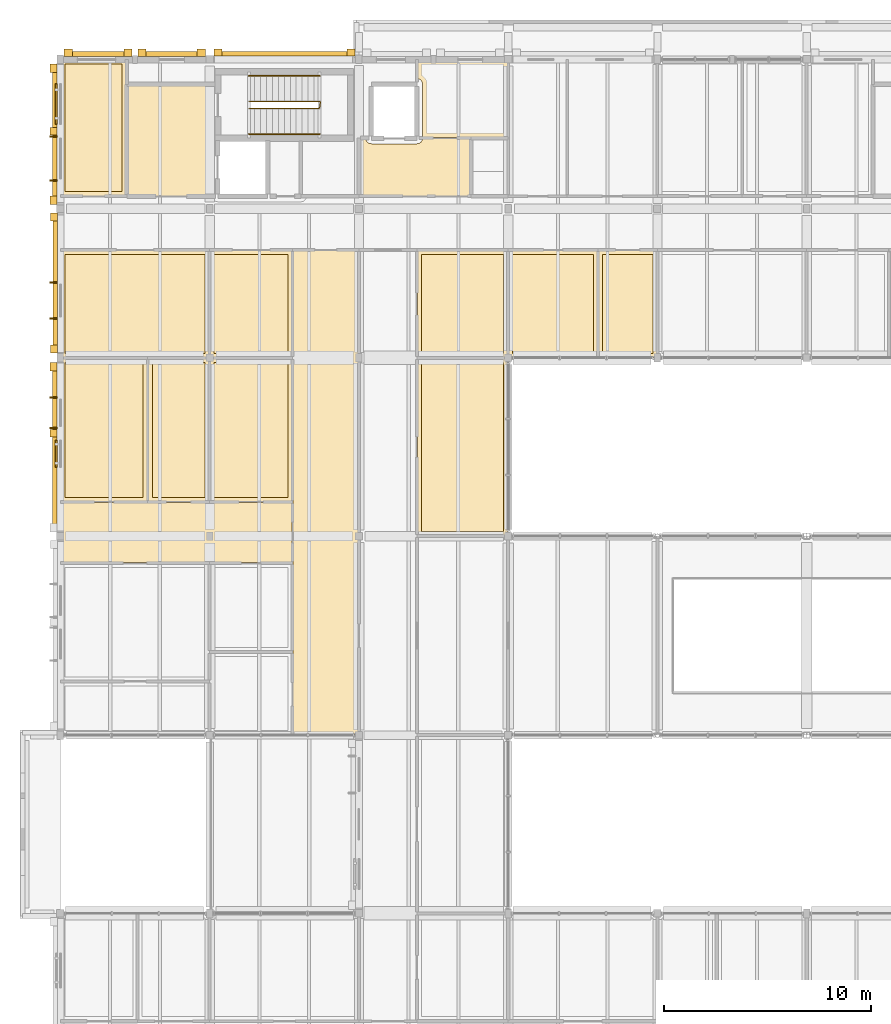
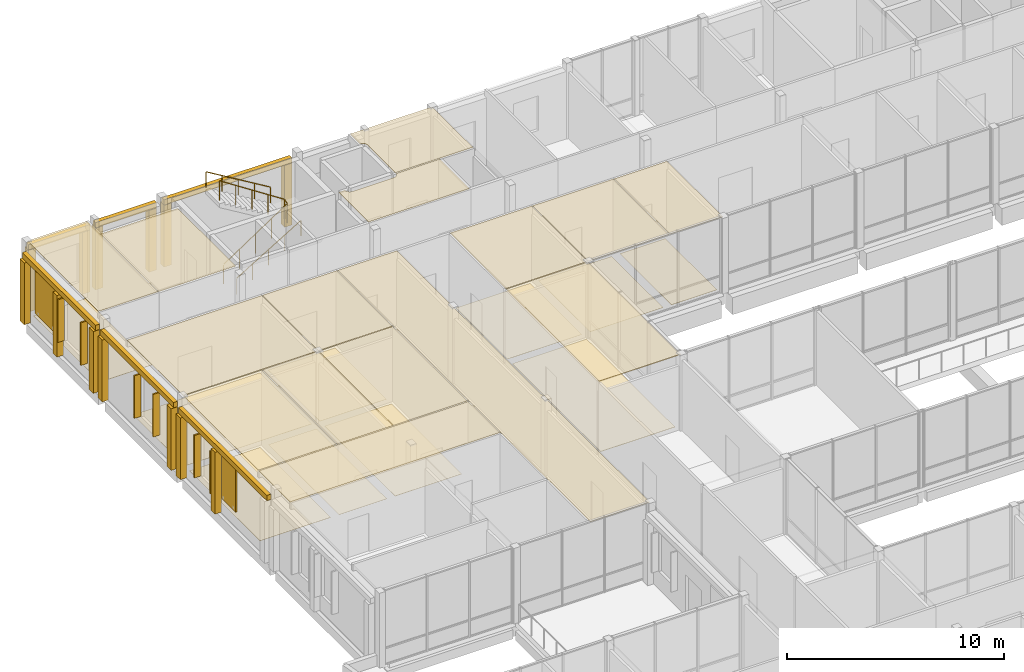
# One storey, part 135 of 146: 44 coverings, 8 shading devices, 3 railings.
"""IFC4 building model written with IfcOpenShell, lengths in metres."""

from ifc_helpers import new_model, si_unit, direction, frame, origin, origin_2d, place, context, subcontext, project, spatial, polyline, rectangle, circle, outline, extrude, material, layer, layer_set, type_object, element, save


model = new_model("IFC4")

# Units and contexts
model_context = context("Model", 3, precision=1e-05, world=origin(), true_north=direction((0.0, 1.0)))
body_context = subcontext(model_context, "Body", "Model", "MODEL_VIEW")
ifc_project = project(units=[si_unit("LENGTHUNIT", "METRE"), si_unit("AREAUNIT", "SQUARE_METRE"), si_unit("VOLUMEUNIT", "CUBIC_METRE"), si_unit("PLANEANGLEUNIT", "RADIAN"), si_unit("MASSUNIT", "GRAM", prefix="KILO")], contexts=[model_context])

# Site, building, storey
site_placement = place(None, origin())
site = spatial("IfcSite", under=ifc_project, at=site_placement, CompositionType="ELEMENT")
building_placement = place(site_placement, origin())
building = spatial("IfcBuilding", under=site, at=building_placement, Name="Hawrajan Terrace Health Centre", CompositionType="ELEMENT")
storey_placement = place(building_placement, frame((0.0, 0.0, 4.5)))
storey = spatial("IfcBuildingStorey", under=building, at=storey_placement, Name="L01", CompositionType="ELEMENT", Elevation=4.5)

# Coverings
ifc_material_1 = material(Name="Precast concrete C40/50", Category="concrete")
ifc_layer_1 = layer(ifc_material_1, 0.219970703125)
ifc_layer_set_1 = layer_set([ifc_layer_1], Name="Precast concrete C40/50")
covering_type_1 = type_object("IfcCoveringType", Name="ArtDecoCorniceBand", PredefinedType="CLADDING", material=ifc_layer_set_1)
covering_1_placement = place(storey_placement, frame((4.330078125, 41.0849609375, 3.48974609375), z_axis=(0.0, 0.0, 1.0), x_axis=(0.0, 1.0, 0.0)))
element("IfcCovering", 1, at=covering_1_placement, inside=storey, type_object=covering_type_1, Name="Art Deco limestone cornice band CRN-L01-0052", PredefinedType="CLADDING", context=body_context, shape_type="SweptSolid", body=[
    extrude(rectangle(XDim=8.169921875, YDim=0.219970703125, at=origin_2d()), origin(), (0.0, 0.0, 1.0), 0.300048828125),
])
covering_2_placement = place(storey_placement, frame((4.340087890625, 49.014892578125, 3.48974609375), z_axis=(0.0, 0.0, 1.0), x_axis=(0.0, 1.0, 0.0)))
element("IfcCovering", 2, at=covering_2_placement, inside=storey, type_object=covering_type_1, Name="Art Deco limestone cornice band CRN-L01-0053", PredefinedType="CLADDING", context=body_context, shape_type="SweptSolid", body=[
    extrude(rectangle(XDim=6.77001953125, YDim=0.219970703125, at=origin_2d()), origin(), (0.0, 0.0, 1.0), 0.300048828125),
])
covering_3_placement = place(storey_placement, frame((6.419921875, 60.06005859375, 3.48974609375), z_axis=(0.0, 0.0, 1.0), x_axis=(1.0, 0.0, 0.0)))
element("IfcCovering", 3, at=covering_3_placement, inside=storey, type_object=covering_type_1, Name="Art Deco limestone cornice band CRN-L01-0054", PredefinedType="CLADDING", context=body_context, shape_type="SweptSolid", body=[
    extrude(rectangle(XDim=3.280029296875, YDim=0.219970703125, at=origin_2d()), origin(), (0.0, 0.0, 1.0), 0.300048828125),
])
covering_4_placement = place(storey_placement, frame((9.969970703125, 60.06005859375, 3.48974609375), z_axis=(0.0, 0.0, 1.0), x_axis=(1.0, 0.0, 0.0)))
element("IfcCovering", 4, at=covering_4_placement, inside=storey, type_object=covering_type_1, Name="Art Deco limestone cornice band CRN-L01-0055", PredefinedType="CLADDING", context=body_context, shape_type="SweptSolid", body=[
    extrude(rectangle(XDim=3.260009765625, YDim=0.219970703125, at=origin_2d()), origin(), (0.0, 0.0, 1.0), 0.300048828125),
])
covering_5_placement = place(storey_placement, frame((4.330078125, 56.18505859375, 3.48974609375), z_axis=(0.0, 0.0, 1.0), x_axis=(0.0, 1.0, 0.0)))
element("IfcCovering", 5, at=covering_5_placement, inside=storey, type_object=covering_type_1, Name="Art Deco limestone cornice band CRN-L01-0056", PredefinedType="CLADDING", context=body_context, shape_type="SweptSolid", body=[
    extrude(rectangle(XDim=6.77001953125, YDim=0.219970703125, at=origin_2d()), origin(), (0.0, 0.0, 1.0), 0.300048828125),
])
covering_6_placement = place(storey_placement, frame((15.409912109375, 60.070068359375, 3.48974609375), z_axis=(0.0, 0.0, 1.0), x_axis=(1.0, 0.0, 0.0)))
element("IfcCovering", 6, at=covering_6_placement, inside=storey, type_object=covering_type_1, Name="Art Deco limestone cornice band CRN-L01-0058", PredefinedType="CLADDING", context=body_context, shape_type="SweptSolid", body=[
    extrude(rectangle(XDim=6.820068359375, YDim=0.219970703125, at=origin_2d()), origin(), (0.0, 0.0, 1.0), 0.300048828125),
])
ifc_layer_2 = layer(ifc_material_1, 0.340087890625)
ifc_layer_set_2 = layer_set([ifc_layer_2], Name="Precast concrete C40/50")
covering_type_2 = type_object("IfcCoveringType", Name="ArtDecoStonePilaster", PredefinedType="CLADDING", material=ifc_layer_set_2)
covering_7_placement = place(storey_placement, frame((4.27001953125, 44.969970703125, 0.0), z_axis=(0.0, 0.0, 1.0), x_axis=(0.0, 1.0, 0.0)))
element("IfcCovering", 7, at=covering_7_placement, inside=storey, type_object=covering_type_2, Name="Art Deco fluted limestone pilaster FPIL-L01-0076", PredefinedType="CLADDING", context=body_context, shape_type="SweptSolid", body=[
    extrude(rectangle(XDim=0.39990234375, YDim=0.340087890625, at=origin_2d()), origin(), (0.0, 0.0, 1.0), 3.47998046875),
])
covering_8_placement = place(storey_placement, frame((4.27001953125, 41.760009765625, 0.0), z_axis=(0.0, 0.0, 1.0), x_axis=(0.0, 1.0, 0.0)))
element("IfcCovering", 8, at=covering_8_placement, inside=storey, type_object=covering_type_2, Name="Art Deco mullion pilaster FPIL-L01-0077", PredefinedType="CLADDING", context=body_context, shape_type="SweptSolid", body=[
    extrude(rectangle(XDim=0.360107421875, YDim=0.340087890625, at=origin_2d()), origin(), (0.0, 0.0, 1.0), 3.47998046875),
])
for number, where, z_axis, x_axis, name in (
    (9, (4.280029296875, 45.830078125, 0.0), (0.0, 0.0, 1.0), (0.0, 1.0, 0.0), "Art Deco fluted limestone pilaster FPIL-L01-0078"),
    (10, (4.280029296875, 52.199951171875, 0.0), (0.0, 0.0, 1.0), (0.0, 1.0, 0.0), "Art Deco fluted limestone pilaster FPIL-L01-0079"),
    (11, (4.97998046875, 60.1201171875, 0.0), (0.0, 0.0, 1.0), (1.0, 0.0, 0.0), "Art Deco fluted limestone pilaster FPIL-L01-0080"),
    (12, (7.860107421875, 60.1201171875, 0.0), (0.0, 0.0, 1.0), (1.0, 0.0, 0.0), "Art Deco fluted limestone pilaster FPIL-L01-0081"),
    (13, (8.5400390625, 60.1201171875, 0.0), (0.0, 0.0, 1.0), (1.0, 0.0, 0.0), "Art Deco fluted limestone pilaster FPIL-L01-0082"),
    (14, (11.39990234375, 60.1201171875, 0.0), (0.0, 0.0, 1.0), (1.0, 0.0, 0.0), "Art Deco fluted limestone pilaster FPIL-L01-0083"),
    (15, (4.27001953125, 53.0, 0.0), (0.0, 0.0, 1.0), (0.0, 1.0, 0.0), "Art Deco fluted limestone pilaster FPIL-L01-0084"),
    (16, (4.27001953125, 59.3701171875, 0.0), (0.0, 0.0, 1.0), (0.0, 1.0, 0.0), "Art Deco fluted limestone pilaster FPIL-L01-0085"),
):
    element("IfcCovering", number, at=place(storey_placement, frame(where, z_axis=z_axis, x_axis=x_axis)), inside=storey, type_object=covering_type_2, Name=name, PredefinedType="CLADDING", context=body_context, shape_type="SweptSolid", body=[
        extrude(rectangle(XDim=0.39990234375, YDim=0.340087890625, at=origin_2d()), origin(), (0.0, 0.0, 1.0), 3.47998046875),
    ])
covering_9_placement = place(storey_placement, frame((4.27001953125, 56.3349609375, 0.0), z_axis=(0.0, 0.0, 1.0), x_axis=(0.0, 1.0, 0.0)))
element("IfcCovering", 17, at=covering_9_placement, inside=storey, type_object=covering_type_2, Name="Art Deco mullion pilaster FPIL-L01-0086", PredefinedType="CLADDING", context=body_context, shape_type="SweptSolid", body=[
    extrude(rectangle(XDim=0.360107421875, YDim=0.340087890625, at=origin_2d()), origin(), (0.0, 0.0, 1.0), 3.47998046875),
])
for number, where, z_axis, x_axis, name in (
    (18, (12.199951171875, 60.1298828125, 0.0), (0.0, 0.0, 1.0), (1.0, 0.0, 0.0), "Art Deco fluted limestone pilaster FPIL-L01-0089"),
    (19, (18.6201171875, 60.1298828125, 0.0), (0.0, 0.0, 1.0), (1.0, 0.0, 0.0), "Art Deco fluted limestone pilaster FPIL-L01-0090"),
):
    element("IfcCovering", number, at=place(storey_placement, frame(where, z_axis=z_axis, x_axis=x_axis)), inside=storey, type_object=covering_type_2, Name=name, PredefinedType="CLADDING", context=body_context, shape_type="SweptSolid", body=[
        extrude(rectangle(XDim=0.39990234375, YDim=0.340087890625, at=origin_2d()), origin(), (0.0, 0.0, 1.0), 3.47998046875),
    ])
ifc_material_2 = material(Name="Acoustic linear cedar-slat suspended ceiling")
ifc_layer_3 = layer(ifc_material_2, 0.034912109375)
ifc_layer_set_3 = layer_set([ifc_layer_3], Name="Acoustic linear cedar-slat suspended ceiling")
covering_type_3 = type_object("IfcCoveringType", Name="CedarSlatHallCeiling_35", PredefinedType="CEILING", material=ifc_layer_set_3)
covering_10_placement = place(storey_placement, frame((0.0, 0.0, 4.14501953125)))
element("IfcCovering", 20, at=covering_10_placement, inside=storey, type_object=covering_type_3, Name="Suspended ceiling L01-067", PredefinedType="CEILING", context=body_context, shape_type="SweptSolid", body=[
    extrude(outline(polyline([(21.820068359375, 45.3798828125), (26.179931640625, 45.3798828125), (26.179931640625, 36.820068359375), (21.820068359375, 36.820068359375), (21.820068359375, 45.3798828125)])), origin(), (0.0, 0.0, 1.0), 0.034912109375),
])
ifc_material_3 = material(Name="Hygienic mineral-fibre acoustic tile ceiling")
ifc_layer_4 = layer(ifc_material_3, 0.02490234375)
ifc_layer_set_4 = layer_set([ifc_layer_4], Name="Hygienic mineral-fibre acoustic tile ceiling")
covering_type_4 = type_object("IfcCoveringType", Name="ClinicalAcousticCeiling_25", PredefinedType="CEILING", material=ifc_layer_set_4)
covering_11_placement = place(storey_placement, frame((0.0, 0.0, 4.155029296875)))
element("IfcCovering", 21, at=covering_11_placement, inside=storey, type_object=covering_type_4, Name="Suspended ceiling L01-020", PredefinedType="CEILING", context=body_context, shape_type="SweptSolid", body=[
    extrude(outline(polyline([(7.820068359375, 53.219970703125), (7.820068359375, 58.580078125), (11.929931640625, 58.580078125), (11.929931640625, 53.219970703125), (7.820068359375, 53.219970703125)])), origin(), (0.0, 0.0, 1.0), 0.02490234375),
])
covering_12_placement = place(storey_placement, frame((0.0, 0.0, 4.155029296875)))
element("IfcCovering", 22, at=covering_12_placement, inside=storey, type_object=covering_type_4, Name="Suspended ceiling L01-024", PredefinedType="CEILING", context=body_context, shape_type="SweptSolid", body=[
    extrude(outline(polyline([(24.3798828125, 55.97998046875), (24.3798828125, 53.219970703125), (19.02001953125, 53.219970703125), (19.02001953125, 55.97998046875), (19.3310546875, 55.97998046875), (19.331298828125, 55.974609375), (19.331298828125, 55.97265625), (19.3349609375, 55.9482421875), (19.33544921875, 55.9462890625), (19.34130859375, 55.922607421875), (19.341796875, 55.920654296875), (19.35009765625, 55.897705078125), (19.35107421875, 55.895751953125), (19.361328125, 55.87353515625), (19.3623046875, 55.871826171875), (19.375, 55.850830078125), (19.376220703125, 55.84912109375), (19.390625, 55.82958984375), (19.391845703125, 55.827880859375), (19.408447265625, 55.809814453125), (19.409912109375, 55.808349609375), (19.427978515625, 55.7919921875), (19.429443359375, 55.790771484375), (19.44921875, 55.776123046875), (19.45068359375, 55.77490234375), (19.471923828125, 55.762451171875), (19.4736328125, 55.761474609375), (19.495849609375, 55.7509765625), (19.49755859375, 55.750244140625), (19.520751953125, 55.741943359375), (19.522705078125, 55.741455078125), (19.54638671875, 55.7353515625), (19.54833984375, 55.735107421875), (19.572509765625, 55.7314453125), (19.574462890625, 55.731201171875), (19.59912109375, 55.72998046875), (19.60009765625, 55.72998046875), (21.800048828125, 55.72998046875), (21.801025390625, 55.72998046875), (21.825439453125, 55.731201171875), (21.827392578125, 55.7314453125), (21.851806640625, 55.735107421875), (21.853515625, 55.7353515625), (21.87744140625, 55.741455078125), (21.87939453125, 55.741943359375), (21.90234375, 55.750244140625), (21.904296875, 55.7509765625), (21.926513671875, 55.761474609375), (21.927978515625, 55.762451171875), (21.94921875, 55.77490234375), (21.95068359375, 55.776123046875), (21.970458984375, 55.790771484375), (21.971923828125, 55.7919921875), (21.990234375, 55.808349609375), (21.99169921875, 55.809814453125), (22.008056640625, 55.827880859375), (22.00927734375, 55.82958984375), (22.02392578125, 55.84912109375), (22.02490234375, 55.850830078125), (22.03759765625, 55.871826171875), (22.03857421875, 55.87353515625), (22.049072265625, 55.895751953125), (22.0498046875, 55.897705078125), (22.05810546875, 55.920654296875), (22.05859375, 55.922607421875), (22.064697265625, 55.9462890625), (22.06494140625, 55.9482421875), (22.068603515625, 55.97265625), (22.06884765625, 55.974609375), (22.069091796875, 55.97998046875), (24.3798828125, 55.97998046875)])), origin(), (0.0, 0.0, 1.0), 0.02490234375),
])
covering_13_placement = place(storey_placement, frame((0.0, 0.0, 4.155029296875)))
element("IfcCovering", 23, at=covering_13_placement, inside=storey, type_object=covering_type_4, Name="Suspended ceiling L01-027", PredefinedType="CEILING", context=body_context, shape_type="SweptSolid", body=[
    extrude(outline(polyline([(15.820068359375, 50.580078125), (18.97998046875, 50.580078125), (18.97998046875, 27.219970703125), (15.820068359375, 27.219970703125), (15.820068359375, 50.580078125)])), origin(), (0.0, 0.0, 1.0), 0.02490234375),
])
covering_14_placement = place(storey_placement, frame((0.0, 0.0, 4.155029296875)))
element("IfcCovering", 24, at=covering_14_placement, inside=storey, type_object=covering_type_4, Name="Suspended ceiling L01-028", PredefinedType="CEILING", context=body_context, shape_type="SweptSolid", body=[
    extrude(outline(polyline([(4.6201171875, 38.429931640625), (15.780029296875, 38.429931640625), (15.780029296875, 35.52001953125), (4.6201171875, 35.52001953125), (4.6201171875, 38.429931640625)])), origin(), (0.0, 0.0, 1.0), 0.02490234375),
])
covering_15_placement = place(storey_placement, frame((0.0, 0.0, 4.155029296875)))
element("IfcCovering", 25, at=covering_15_placement, inside=storey, type_object=covering_type_4, Name="Suspended ceiling L01-078", PredefinedType="CEILING", context=body_context, shape_type="SweptSolid", body=[
    extrude(outline(polyline([(4.6201171875, 45.3798828125), (8.7919921875, 45.3798828125), (8.7919921875, 38.469970703125), (4.6201171875, 38.469970703125), (4.6201171875, 45.3798828125)])), origin(), (0.0, 0.0, 1.0), 0.02490234375),
])
covering_16_placement = place(storey_placement, frame((0.0, 0.0, 4.155029296875)))
element("IfcCovering", 26, at=covering_16_placement, inside=storey, type_object=covering_type_4, Name="Suspended ceiling L01-079", PredefinedType="CEILING", context=body_context, shape_type="SweptSolid", body=[
    extrude(outline(polyline([(8.83203125, 45.3798828125), (11.780029296875, 45.3798828125), (11.780029296875, 38.469970703125), (8.83203125, 38.469970703125), (8.83203125, 45.3798828125)])), origin(), (0.0, 0.0, 1.0), 0.02490234375),
])
covering_17_placement = place(storey_placement, frame((0.0, 0.0, 4.155029296875)))
element("IfcCovering", 27, at=covering_17_placement, inside=storey, type_object=covering_type_4, Name="Suspended ceiling L01-080", PredefinedType="CEILING", context=body_context, shape_type="SweptSolid", body=[
    extrude(outline(polyline([(4.6201171875, 50.580078125), (11.780029296875, 50.580078125), (11.780029296875, 45.419921875), (4.6201171875, 45.419921875), (4.6201171875, 50.580078125)])), origin(), (0.0, 0.0, 1.0), 0.02490234375),
])
covering_18_placement = place(storey_placement, frame((0.0, 0.0, 4.155029296875)))
element("IfcCovering", 28, at=covering_18_placement, inside=storey, type_object=covering_type_4, Name="Suspended ceiling L01-081", PredefinedType="CEILING", context=body_context, shape_type="SweptSolid", body=[
    extrude(outline(polyline([(4.6201171875, 59.780029296875), (7.780029296875, 59.780029296875), (7.780029296875, 53.219970703125), (4.6201171875, 53.219970703125), (4.6201171875, 59.780029296875)])), origin(), (0.0, 0.0, 1.0), 0.02490234375),
])
covering_19_placement = place(storey_placement, frame((0.0, 0.0, 4.155029296875)))
element("IfcCovering", 29, at=covering_19_placement, inside=storey, type_object=covering_type_4, Name="Suspended ceiling L01-084", PredefinedType="CEILING", context=body_context, shape_type="SweptSolid", body=[
    extrude(outline(polyline([(11.820068359375, 45.3798828125), (15.780029296875, 45.3798828125), (15.780029296875, 38.469970703125), (11.820068359375, 38.469970703125), (11.820068359375, 45.3798828125)])), origin(), (0.0, 0.0, 1.0), 0.02490234375),
])
covering_20_placement = place(storey_placement, frame((0.0, 0.0, 4.155029296875)))
element("IfcCovering", 30, at=covering_20_placement, inside=storey, type_object=covering_type_4, Name="Suspended ceiling L01-085", PredefinedType="CEILING", context=body_context, shape_type="SweptSolid", body=[
    extrude(outline(polyline([(11.820068359375, 50.580078125), (15.780029296875, 50.580078125), (15.780029296875, 45.419921875), (11.820068359375, 45.419921875), (11.820068359375, 50.580078125)])), origin(), (0.0, 0.0, 1.0), 0.02490234375),
])
covering_21_placement = place(storey_placement, frame((0.0, 0.0, 4.155029296875)))
element("IfcCovering", 31, at=covering_21_placement, inside=storey, type_object=covering_type_4, Name="Suspended ceiling L01-086", PredefinedType="CEILING", context=body_context, shape_type="SweptSolid", body=[
    extrude(outline(polyline([(21.820068359375, 50.580078125), (26.179931640625, 50.580078125), (26.179931640625, 45.419921875), (21.820068359375, 45.419921875), (21.820068359375, 50.580078125)])), origin(), (0.0, 0.0, 1.0), 0.02490234375),
])
covering_22_placement = place(storey_placement, frame((0.0, 0.0, 4.155029296875)))
element("IfcCovering", 32, at=covering_22_placement, inside=storey, type_object=covering_type_4, Name="Suspended ceiling L01-087", PredefinedType="CEILING", context=body_context, shape_type="SweptSolid", body=[
    extrude(outline(polyline([(21.820068359375, 59.780029296875), (26.179931640625, 59.780029296875), (26.179931640625, 56.02001953125), (22.070068359375, 56.02001953125), (22.070068359375, 58.60009765625), (22.070068359375, 58.60107421875), (22.06884765625, 58.62548828125), (22.068603515625, 58.62744140625), (22.06494140625, 58.651611328125), (22.064697265625, 58.653564453125), (22.05859375, 58.677490234375), (22.05810546875, 58.67919921875), (22.0498046875, 58.702392578125), (22.049072265625, 58.7041015625), (22.03857421875, 58.726318359375), (22.03759765625, 58.72802734375), (22.02490234375, 58.749267578125), (22.02392578125, 58.750732421875), (22.00927734375, 58.7705078125), (22.008056640625, 58.77197265625), (21.99169921875, 58.790283203125), (21.990234375, 58.79150390625), (21.971923828125, 58.80810546875), (21.970458984375, 58.809326171875), (21.95068359375, 58.823974609375), (21.94921875, 58.824951171875), (21.927978515625, 58.837646484375), (21.926513671875, 58.838623046875), (21.904296875, 58.84912109375), (21.90234375, 58.849853515625), (21.87939453125, 58.858154296875), (21.87744140625, 58.858642578125), (21.853515625, 58.864501953125), (21.851806640625, 58.864990234375), (21.827392578125, 58.86865234375), (21.825439453125, 58.868896484375), (21.820068359375, 58.868896484375), (21.820068359375, 59.780029296875)])), origin(), (0.0, 0.0, 1.0), 0.02490234375),
])
covering_23_placement = place(storey_placement, frame((0.0, 0.0, 4.155029296875)))
element("IfcCovering", 33, at=covering_23_placement, inside=storey, type_object=covering_type_4, Name="Suspended ceiling L01-088", PredefinedType="CEILING", context=body_context, shape_type="SweptSolid", body=[
    extrude(outline(polyline([(26.219970703125, 50.580078125), (30.514404296875, 50.580078125), (30.514404296875, 45.419921875), (26.219970703125, 45.419921875), (26.219970703125, 50.580078125)])), origin(), (0.0, 0.0, 1.0), 0.02490234375),
])
covering_24_placement = place(storey_placement, frame((0.0, 0.0, 4.155029296875)))
element("IfcCovering", 34, at=covering_24_placement, inside=storey, type_object=covering_type_4, Name="Suspended ceiling L01-089", PredefinedType="CEILING", context=body_context, shape_type="SweptSolid", body=[
    extrude(outline(polyline([(30.554443359375, 50.580078125), (33.3798828125, 50.580078125), (33.3798828125, 45.419921875), (30.554443359375, 45.419921875), (30.554443359375, 50.580078125)])), origin(), (0.0, 0.0, 1.0), 0.02490234375),
])
ifc_material_4 = material(Name="Seamless medical-grade cushioned vinyl flooring")
ifc_layer_5 = layer(ifc_material_4, 0.011962890625)
ifc_layer_set_5 = layer_set([ifc_layer_5], Name="Seamless medical-grade cushioned vinyl flooring")
covering_type_5 = type_object("IfcCoveringType", Name="ClinicalVinylFlooring_12", PredefinedType="FLOORING", material=ifc_layer_set_5)
covering_25_placement = place(storey_placement, origin())
element("IfcCovering", 35, at=covering_25_placement, inside=storey, type_object=covering_type_5, Name="Floor finish L01-078", PredefinedType="FLOORING", context=body_context, shape_type="SweptSolid", body=[
    extrude(outline(polyline([(4.820068359375, 45.179931640625), (8.592041015625, 45.179931640625), (8.592041015625, 38.669921875), (4.820068359375, 38.669921875), (4.820068359375, 45.179931640625)])), origin(), (0.0, 0.0, 1.0), 0.011962890625),
])
covering_26_placement = place(storey_placement, origin())
element("IfcCovering", 36, at=covering_26_placement, inside=storey, type_object=covering_type_5, Name="Floor finish L01-079", PredefinedType="FLOORING", context=body_context, shape_type="SweptSolid", body=[
    extrude(outline(polyline([(9.031982421875, 45.179931640625), (11.580078125, 45.179931640625), (11.580078125, 38.669921875), (9.031982421875, 38.669921875), (9.031982421875, 45.179931640625)])), origin(), (0.0, 0.0, 1.0), 0.011962890625),
])
covering_27_placement = place(storey_placement, origin())
element("IfcCovering", 37, at=covering_27_placement, inside=storey, type_object=covering_type_5, Name="Floor finish L01-080", PredefinedType="FLOORING", context=body_context, shape_type="SweptSolid", body=[
    extrude(outline(polyline([(4.820068359375, 50.3798828125), (11.580078125, 50.3798828125), (11.580078125, 45.6201171875), (4.820068359375, 45.6201171875), (4.820068359375, 50.3798828125)])), origin(), (0.0, 0.0, 1.0), 0.011962890625),
])
covering_28_placement = place(storey_placement, origin())
element("IfcCovering", 38, at=covering_28_placement, inside=storey, type_object=covering_type_5, Name="Floor finish L01-081", PredefinedType="FLOORING", context=body_context, shape_type="SweptSolid", body=[
    extrude(outline(polyline([(4.820068359375, 59.580078125), (7.580078125, 59.580078125), (7.580078125, 53.419921875), (4.820068359375, 53.419921875), (4.820068359375, 59.580078125)])), origin(), (0.0, 0.0, 1.0), 0.011962890625),
])
covering_29_placement = place(storey_placement, origin())
element("IfcCovering", 39, at=covering_29_placement, inside=storey, type_object=covering_type_5, Name="Floor finish L01-084", PredefinedType="FLOORING", context=body_context, shape_type="SweptSolid", body=[
    extrude(outline(polyline([(12.02001953125, 45.179931640625), (15.580078125, 45.179931640625), (15.580078125, 38.669921875), (12.02001953125, 38.669921875), (12.02001953125, 45.179931640625)])), origin(), (0.0, 0.0, 1.0), 0.011962890625),
])
covering_30_placement = place(storey_placement, origin())
element("IfcCovering", 40, at=covering_30_placement, inside=storey, type_object=covering_type_5, Name="Floor finish L01-085", PredefinedType="FLOORING", context=body_context, shape_type="SweptSolid", body=[
    extrude(outline(polyline([(12.02001953125, 50.3798828125), (15.580078125, 50.3798828125), (15.580078125, 45.6201171875), (12.02001953125, 45.6201171875), (12.02001953125, 50.3798828125)])), origin(), (0.0, 0.0, 1.0), 0.011962890625),
])
covering_31_placement = place(storey_placement, origin())
element("IfcCovering", 41, at=covering_31_placement, inside=storey, type_object=covering_type_5, Name="Floor finish L01-086", PredefinedType="FLOORING", context=body_context, shape_type="SweptSolid", body=[
    extrude(outline(polyline([(22.02001953125, 50.3798828125), (25.97998046875, 50.3798828125), (25.97998046875, 45.6201171875), (22.02001953125, 45.6201171875), (22.02001953125, 50.3798828125)])), origin(), (0.0, 0.0, 1.0), 0.011962890625),
])
covering_32_placement = place(storey_placement, origin())
element("IfcCovering", 42, at=covering_32_placement, inside=storey, type_object=covering_type_5, Name="Floor finish L01-088", PredefinedType="FLOORING", context=body_context, shape_type="SweptSolid", body=[
    extrude(outline(polyline([(26.419921875, 50.3798828125), (30.314453125, 50.3798828125), (30.314453125, 45.6201171875), (26.419921875, 45.6201171875), (26.419921875, 50.3798828125)])), origin(), (0.0, 0.0, 1.0), 0.011962890625),
])
covering_33_placement = place(storey_placement, origin())
element("IfcCovering", 43, at=covering_33_placement, inside=storey, type_object=covering_type_5, Name="Floor finish L01-089", PredefinedType="FLOORING", context=body_context, shape_type="SweptSolid", body=[
    extrude(outline(polyline([(30.75439453125, 50.3798828125), (33.179931640625, 50.3798828125), (33.179931640625, 45.6201171875), (30.75439453125, 45.6201171875), (30.75439453125, 50.3798828125)])), origin(), (0.0, 0.0, 1.0), 0.011962890625),
])

# Shading devices
ifc_material_5 = material(Name="Anodized bronze mashrabiya vertical solar fin")
ifc_layer_6 = layer(ifc_material_5, 0.080078125)
ifc_layer_set_6 = layer_set([ifc_layer_6], Name="Anodized bronze mashrabiya vertical solar fin")
shading_device_type_1 = type_object("IfcShadingDeviceType", Name="MashrabiyaVerticalFin", PredefinedType="USERDEFINED", material=ifc_layer_set_6)
for number, where, z_axis, x_axis, name in (
    (44, (4.260009765625, 42.010009765625, 0.900146484375), (0.0, 0.0, 1.0), (0.0, 1.0, 0.0), "Bronze mashrabiya solar fin FIN-L01-0059"),
    (45, (4.260009765625, 43.489990234375, 0.900146484375), (0.0, 0.0, 1.0), (0.0, 1.0, 0.0), "Bronze mashrabiya solar fin FIN-L01-0060"),
    (46, (4.27001953125, 47.300048828125, 0.900146484375), (0.0, 0.0, 1.0), (0.0, 1.0, 0.0), "Bronze mashrabiya solar fin FIN-L01-0061"),
    (47, (4.27001953125, 49.030029296875, 0.900146484375), (0.0, 0.0, 1.0), (0.0, 1.0, 0.0), "Bronze mashrabiya solar fin FIN-L01-0062"),
    (48, (4.260009765625, 53.955078125, 0.900146484375), (0.0, 0.0, 1.0), (0.0, 1.0, 0.0), "Bronze mashrabiya solar fin FIN-L01-0063"),
    (49, (4.260009765625, 56.0849609375, 0.900146484375), (0.0, 0.0, 1.0), (0.0, 1.0, 0.0), "Bronze mashrabiya solar fin FIN-L01-0064"),
):
    element("IfcShadingDevice", number, at=place(storey_placement, frame(where, z_axis=z_axis, x_axis=x_axis)), inside=storey, type_object=shading_device_type_1, Name=name, ObjectType="SOLAR_FIN", PredefinedType="USERDEFINED", context=body_context, shape_type="SweptSolid", body=[
        extrude(rectangle(XDim=0.080078125, YDim=0.360107421875, at=origin_2d()), origin(), (0.0, 0.0, 1.0), 2.39990234375),
    ])
ifc_material_6 = material(Name="Anodized bronze and cedar roshan lattice")
ifc_layer_7 = layer(ifc_material_6, 0.080078125)
ifc_layer_set_7 = layer_set([ifc_layer_7], Name="Anodized bronze and cedar roshan lattice")
shading_device_type_2 = type_object("IfcShadingDeviceType", Name="RoshanScreen_BronzeCedar", PredefinedType="JALOUSIE", material=ifc_layer_set_7)
shading_device_1_placement = place(storey_placement, frame((4.39501953125, 40.77001953125, 0.900146484375), z_axis=(0.0, 0.0, 1.0), x_axis=(0.0, 1.0, 0.0)))
element("IfcShadingDevice", 50, at=shading_device_1_placement, inside=storey, type_object=shading_device_type_2, Name="Hijazi roshan solar screen RSH-L01-058", PredefinedType="JALOUSIE", context=body_context, shape_type="SweptSolid", body=[
    extrude(rectangle(XDim=1.300048828125, YDim=0.080078125, at=origin_2d()), origin(), (0.0, 0.0, 1.0), 2.39990234375),
])
shading_device_2_placement = place(storey_placement, frame((4.39501953125, 57.64990234375, 0.900146484375), z_axis=(0.0, 0.0, 1.0), x_axis=(0.0, 1.0, 0.0)))
element("IfcShadingDevice", 51, at=shading_device_2_placement, inside=storey, type_object=shading_device_type_2, Name="Hijazi roshan solar screen RSH-L01-065", PredefinedType="JALOUSIE", context=body_context, shape_type="SweptSolid", body=[
    extrude(rectangle(XDim=1.949951171875, YDim=0.080078125, at=origin_2d()), origin(), (0.0, 0.0, 1.0), 2.39990234375),
])

# Railings
ifc_material_7 = material(Name="Brushed stainless steel tubular handrail", Category="steel")
railing_type_1 = type_object("IfcRailingType", Name="StairHandrail_900", PredefinedType="HANDRAIL", material=ifc_material_7)
railing_1_placement = place(storey_placement, frame((13.675048828125, 56.199951171875, 0.173095703125)))
element("IfcRailing", 52, at=railing_1_placement, inside=storey, type_object=railing_type_1, Name="Stair handrail ST-1-L01-H1", PredefinedType="HANDRAIL", context=body_context, shape_type="SweptSolid", body=[
    extrude(circle(Radius=0.02392578125, at=origin_2d()), frame((0.024658203125, 0.0, 0.890625), z_axis=(0.856732359591, 0.0, 0.515761247119), x_axis=(0.0, 1.0, 0.0)), (0.0, 0.0, 1.0), 3.96923828125),
    extrude(circle(Radius=0.02099609375, at=origin_2d()), origin(), (0.0, 0.0, 1.0), 0.846923828125),
    extrude(circle(Radius=0.02099609375, at=origin_2d()), frame((0.862548828125, 0.0, 0.519287109375)), (0.0, 0.0, 1.0), 0.846923828125),
    extrude(circle(Radius=0.02099609375, at=origin_2d()), frame((1.72509765625, 0.0, 1.03857421875)), (0.0, 0.0, 1.0), 0.846923828125),
    extrude(circle(Radius=0.02099609375, at=origin_2d()), frame((2.58740234375, 0.0, 1.5576171875)), (0.0, 0.0, 1.0), 0.846923828125),
    extrude(circle(Radius=0.02099609375, at=origin_2d()), frame((3.449951171875, 0.0, 2.076904296875)), (0.0, 0.0, 1.0), 0.846923828125),
])
railing_2_placement = place(storey_placement, frame((17.125, 59.0, 2.423095703125)))
element("IfcRailing", 53, at=railing_2_placement, inside=storey, type_object=railing_type_1, Name="Stair handrail ST-1-L01-H2", PredefinedType="HANDRAIL", context=body_context, shape_type="SweptSolid", body=[
    extrude(circle(Radius=0.02392578125, at=origin_2d()), frame((-0.024658203125, 0.0, 0.890625), z_axis=(-0.856732359591, 0.0, 0.515761247119), x_axis=(0.0, -1.0, 0.0)), (0.0, 0.0, 1.0), 3.96923828125),
    extrude(circle(Radius=0.02099609375, at=origin_2d()), origin(), (0.0, 0.0, 1.0), 0.846923828125),
    extrude(circle(Radius=0.02099609375, at=origin_2d()), frame((-0.862548828125, 0.0, 0.519287109375)), (0.0, 0.0, 1.0), 0.846923828125),
    extrude(circle(Radius=0.02099609375, at=origin_2d()), frame((-1.72509765625, 0.0, 1.03857421875)), (0.0, 0.0, 1.0), 0.846923828125),
    extrude(circle(Radius=0.02099609375, at=origin_2d()), frame((-2.58740234375, 0.0, 1.5576171875)), (0.0, 0.0, 1.0), 0.846923828125),
    extrude(circle(Radius=0.02099609375, at=origin_2d()), frame((-3.449951171875, 0.0, 2.076904296875)), (0.0, 0.0, 1.0), 0.846923828125),
])
ifc_material_8 = material(Name="Painted steel stair well guard", Category="steel")
railing_type_2 = type_object("IfcRailingType", Name="StairWellGuard_1120", PredefinedType="GUARDRAIL", material=ifc_material_8)
railing_3_placement = place(storey_placement, frame((13.699951171875, 57.419921875, 0.0)))
element("IfcRailing", 54, at=railing_3_placement, inside=storey, type_object=railing_type_2, Name="Stair well guard ST-1-L01-G1", PredefinedType="GUARDRAIL", context=body_context, shape_type="SweptSolid", body=[
    extrude(circle(Radius=0.02392578125, at=origin_2d()), frame((0.024169921875, 0.0, 1.112060546875), z_axis=(0.833943147616, 0.0, 0.551850366082), x_axis=(0.0, 1.0, 0.0)), (0.0, 0.0, 1.0), 4.01953125),
    extrude(circle(Radius=0.02392578125, at=origin_2d()), frame((3.404052734375, 0.028564453125, 3.34619140625), z_axis=(0.137000993654, 0.99057091, 0.0), x_axis=(-0.99057091, 0.137000993654, 0.0)), (0.0, 0.0, 1.0), 0.305908203125),
    extrude(circle(Radius=0.02392578125, at=origin_2d()), frame((3.42578125, 0.360107421875, 3.36181640625), z_axis=(-0.837607059222, 0.0, 0.546273204854), x_axis=(0.0, -1.0, 0.0)), (0.0, 0.0, 1.0), 4.06103515625),
    extrude(circle(Radius=0.02099609375, at=origin_2d()), origin(), (0.0, 0.0, 1.0), 1.067138671875),
    extrude(circle(Radius=0.02099609375, at=origin_2d()), frame((0.85009765625, 0.0, 0.5625)), (0.0, 0.0, 1.0), 1.067138671875),
    extrude(circle(Radius=0.02099609375, at=origin_2d()), frame((1.7001953125, 0.0, 1.125)), (0.0, 0.0, 1.0), 1.067138671875),
    extrude(circle(Radius=0.02099609375, at=origin_2d()), frame((2.550048828125, 0.0, 1.6875)), (0.0, 0.0, 1.0), 1.067138671875),
    extrude(circle(Radius=0.02099609375, at=origin_2d()), frame((3.400146484375, 0.0, 2.25)), (0.0, 0.0, 1.0), 1.067138671875),
    extrude(circle(Radius=0.02099609375, at=origin_2d()), frame((3.449951171875, 0.360107421875, 2.25)), (0.0, 0.0, 1.0), 1.067138671875),
    extrude(circle(Radius=0.02099609375, at=origin_2d()), frame((2.58740234375, 0.360107421875, 2.8125)), (0.0, 0.0, 1.0), 1.067138671875),
    extrude(circle(Radius=0.02099609375, at=origin_2d()), frame((1.72509765625, 0.360107421875, 3.375)), (0.0, 0.0, 1.0), 1.067138671875),
    extrude(circle(Radius=0.02099609375, at=origin_2d()), frame((0.862548828125, 0.360107421875, 3.9375)), (0.0, 0.0, 1.0), 1.067138671875),
    extrude(circle(Radius=0.02099609375, at=origin_2d()), frame((0.0, 0.360107421875, 4.5)), (0.0, 0.0, 1.0), 1.067138671875),
])

# Covering
ifc_material_9 = material(Name="Polished coral-aggregate terrazzo flooring")
ifc_layer_8 = layer(ifc_material_9, 0.02001953125)
ifc_layer_set_8 = layer_set([ifc_layer_8], Name="Polished coral-aggregate terrazzo flooring")
covering_type_6 = type_object("IfcCoveringType", Name="TerrazzoHallFlooring_20", PredefinedType="FLOORING", material=ifc_layer_set_8)
covering_34_placement = place(storey_placement, origin())
element("IfcCovering", 55, at=covering_34_placement, inside=storey, type_object=covering_type_6, Name="Floor finish L01-067", PredefinedType="FLOORING", context=body_context, shape_type="SweptSolid", body=[
    extrude(outline(polyline([(22.02001953125, 45.179931640625), (25.97998046875, 45.179931640625), (25.97998046875, 37.02001953125), (22.02001953125, 37.02001953125), (22.02001953125, 45.179931640625)])), origin(), (0.0, 0.0, 1.0), 0.02001953125),
])

save(model, "model.ifc")
